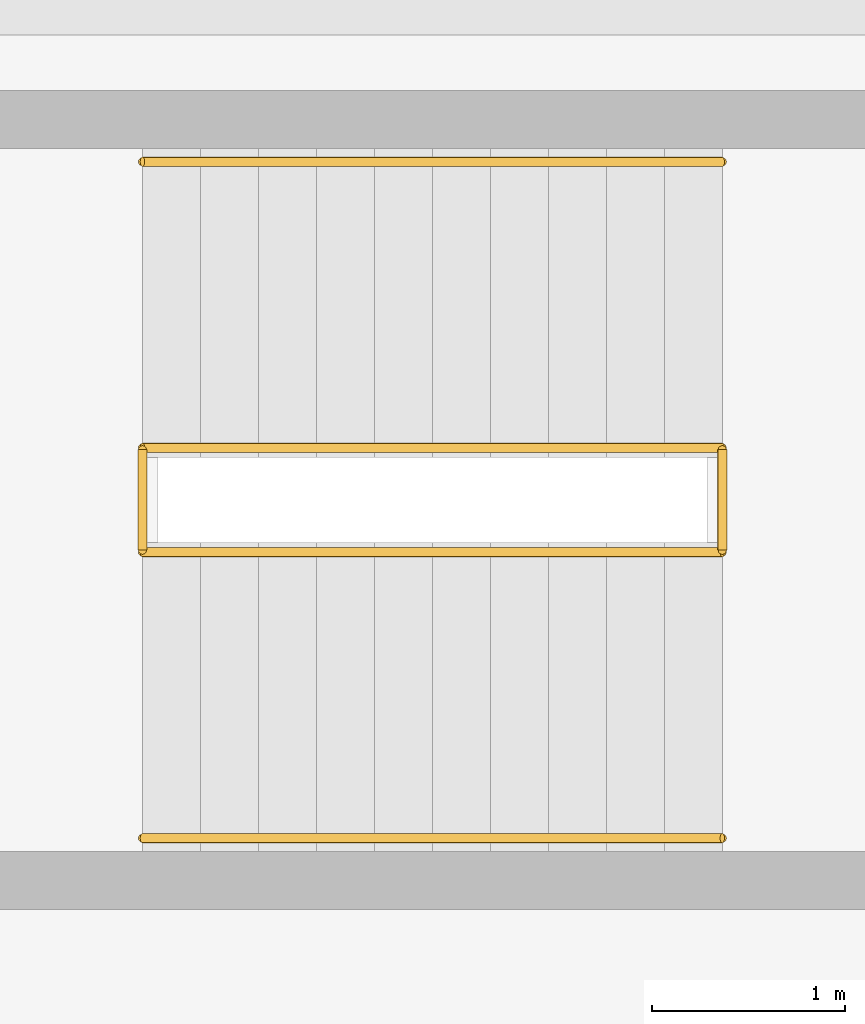
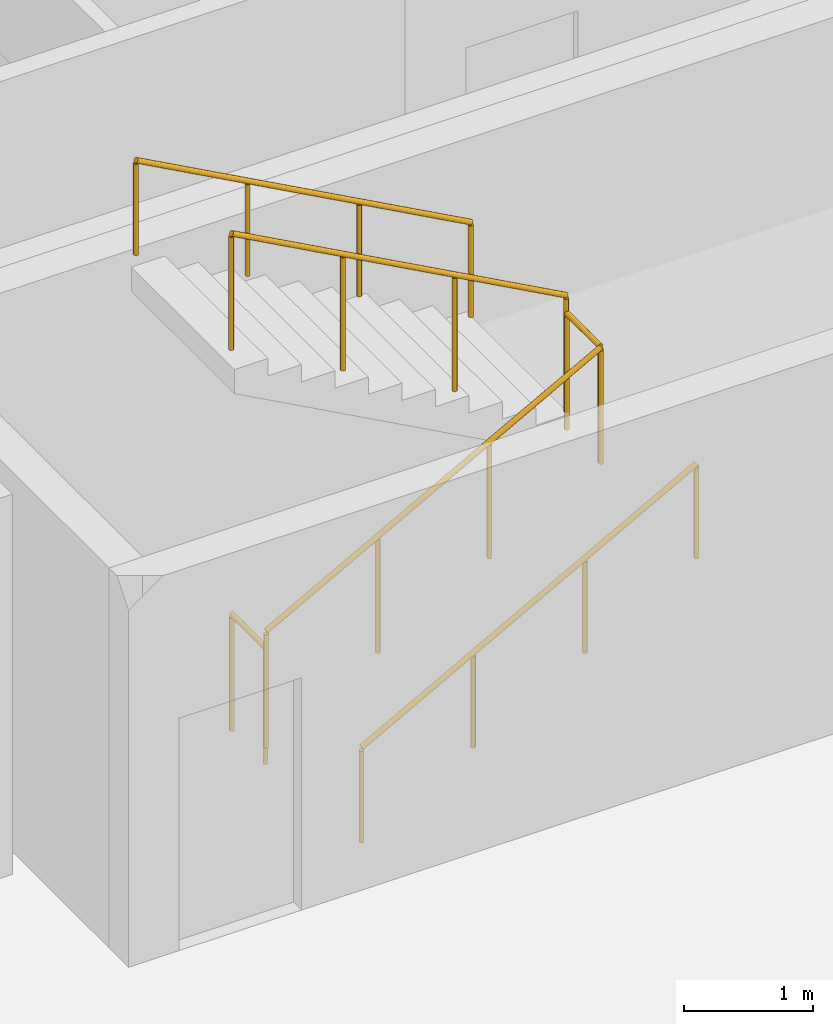
# One storey, part 24 of 24: 6 railings.
"""IFC4 building model written with IfcOpenShell, lengths in metres."""

from ifc_helpers import new_model, si_unit, direction, frame, origin, origin_2d, place, context, subcontext, project, spatial, circle, extrude, material, type_object, element, save


model = new_model("IFC4")

# Units and contexts
model_context = context("Model", 3, precision=1e-05, world=origin(), true_north=direction((0.0, 1.0)))
body_context = subcontext(model_context, "Body", "Model", "MODEL_VIEW")
ifc_project = project(units=[si_unit("LENGTHUNIT", "METRE"), si_unit("AREAUNIT", "SQUARE_METRE"), si_unit("VOLUMEUNIT", "CUBIC_METRE"), si_unit("PLANEANGLEUNIT", "RADIAN"), si_unit("MASSUNIT", "GRAM", prefix="KILO")], contexts=[model_context])

# Site, building, storey
site_placement = place(None, origin())
site = spatial("IfcSite", under=ifc_project, at=site_placement, CompositionType="ELEMENT")
building_placement = place(site_placement, origin())
building = spatial("IfcBuilding", under=site, at=building_placement, Name="Kaldorvane Square Convention Centre", CompositionType="ELEMENT")
storey_placement = place(building_placement, frame((0.0, 0.0, 27.600006103515625)))
storey = spatial("IfcBuildingStorey", under=building, at=storey_placement, Name="L05", CompositionType="ELEMENT", Elevation=27.600006103515625)

# Railings
ifc_material = material(Name="Architectural Painted Steel", Category="steel")
railing_type_1 = type_object("IfcRailingType", Name="RL-GUARD-1120", PredefinedType="BALUSTRADE", material=ifc_material)
for number, where, name in (
    (1, (67.89999389648438, 102.16999816894531, 0.0), "Tower Exit Stair T2 Floor Well Guard (L05)"),
    (2, (70.89999389648438, 102.16999816894531, 1.79998779296875), "Tower Exit Stair T2 Half-Landing Guard (L05)"),
):
    element("IfcRailing", number, at=place(storey_placement, frame(where)), inside=storey, type_object=railing_type_1, Name=name, PredefinedType="BALUSTRADE", context=body_context, shape_type="SweptSolid", body=[
        extrude(circle(Radius=0.0240020751953125, at=origin_2d()), frame((0.0, 0.0, 1.0959930419921875), z_axis=(0.0, 1.0, 0.0), x_axis=(-1.0, 0.0, 0.0)), (0.0, 0.0, 1.0), 0.5200042724609375),
        extrude(circle(Radius=0.02099609375, at=origin_2d()), origin(), (0.0, 0.0, 1.0), 1.071990966796875),
        extrude(circle(Radius=0.02099609375, at=origin_2d()), frame((0.0, 0.5200042724609375, 0.0)), (0.0, 0.0, 1.0), 1.071990966796875),
    ])
railing_1_placement = place(storey_placement, frame((67.89999389648438, 102.16000366210938, 0.16363525390625)))
element("IfcRailing", 3, at=railing_1_placement, inside=storey, type_object=railing_type_1, Name="Tower Exit Stair T2 Flight 1 Guard (L05)", PredefinedType="BALUSTRADE", context=body_context, shape_type="SweptSolid", body=[
    extrude(circle(Radius=0.0240020751953125, at=origin_2d()), frame((0.0, 0.0, 1.0959930419921875), z_axis=(0.877896938072, 0.0, 0.478849627883), x_axis=(0.0, 1.0, 0.0)), (0.0, 0.0, 1.0), 3.4172515869140625),
    extrude(circle(Radius=0.02099609375, at=origin_2d()), origin(), (0.0, 0.0, 1.0), 1.071990966796875),
    extrude(circle(Radius=0.02099609375, at=origin_2d()), frame((1.0, 0.0, 0.5454559326171875)), (0.0, 0.0, 1.0), 1.071990966796875),
    extrude(circle(Radius=0.02099609375, at=origin_2d()), frame((2.0, 0.0, 1.0908966064453125)), (0.0, 0.0, 1.0), 1.071990966796875),
    extrude(circle(Radius=0.02099609375, at=origin_2d()), frame((3.0, 0.0, 1.6363525390625)), (0.0, 0.0, 1.0), 1.071990966796875),
])
railing_2_placement = place(storey_placement, frame((70.89999389648438, 102.69999694824219, 1.963623046875)))
element("IfcRailing", 4, at=railing_2_placement, inside=storey, type_object=railing_type_1, Name="Tower Exit Stair T2 Flight 2 Guard (L05)", PredefinedType="BALUSTRADE", context=body_context, shape_type="SweptSolid", body=[
    extrude(circle(Radius=0.0240020751953125, at=origin_2d()), frame((0.0, 0.0, 1.0959930419921875), z_axis=(-0.87789506098, 0.0, 0.478853069227), x_axis=(0.0, -1.0, 0.0)), (0.0, 0.0, 1.0), 3.417266845703125),
    extrude(circle(Radius=0.02099609375, at=origin_2d()), origin(), (0.0, 0.0, 1.0), 1.071990966796875),
    extrude(circle(Radius=0.02099609375, at=origin_2d()), frame((-1.0, 0.0, 0.5454559326171875)), (0.0, 0.0, 1.0), 1.071990966796875),
    extrude(circle(Radius=0.02099609375, at=origin_2d()), frame((-2.0, 0.0, 1.090911865234375)), (0.0, 0.0, 1.0), 1.071990966796875),
    extrude(circle(Radius=0.02099609375, at=origin_2d()), frame((-3.0, 0.0, 1.6363677978515625)), (0.0, 0.0, 1.0), 1.071990966796875),
])
railing_type_2 = type_object("IfcRailingType", Name="RL-HAND-915", PredefinedType="HANDRAIL", material=ifc_material)
railing_3_placement = place(storey_placement, frame((67.89999389648438, 100.67999267578125, 0.16363525390625)))
element("IfcRailing", 5, at=railing_3_placement, inside=storey, type_object=railing_type_2, Name="Tower Exit Stair T2 Wall Handrail 1 (L05)", PredefinedType="HANDRAIL", context=body_context, shape_type="SweptSolid", body=[
    extrude(circle(Radius=0.0240020751953125, at=origin_2d()), frame((0.0, 0.0, 0.8909912109375), z_axis=(0.877896938072, 0.0, 0.478849627883), x_axis=(0.0, 1.0, 0.0)), (0.0, 0.0, 1.0), 3.4172515869140625),
    extrude(circle(Radius=0.02099609375, at=origin_2d()), origin(), (0.0, 0.0, 1.0), 0.8669891357421875),
    extrude(circle(Radius=0.02099609375, at=origin_2d()), frame((1.0, 0.0, 0.5454559326171875)), (0.0, 0.0, 1.0), 0.8669891357421875),
    extrude(circle(Radius=0.02099609375, at=origin_2d()), frame((2.0, 0.0, 1.0908966064453125)), (0.0, 0.0, 1.0), 0.8669891357421875),
    extrude(circle(Radius=0.02099609375, at=origin_2d()), frame((3.0, 0.0, 1.6363525390625)), (0.0, 0.0, 1.0), 0.8669891357421875),
])
railing_4_placement = place(storey_placement, frame((70.89999389648438, 104.17999267578125, 1.963623046875)))
element("IfcRailing", 6, at=railing_4_placement, inside=storey, type_object=railing_type_2, Name="Tower Exit Stair T2 Wall Handrail 2 (L05)", PredefinedType="HANDRAIL", context=body_context, shape_type="SweptSolid", body=[
    extrude(circle(Radius=0.0240020751953125, at=origin_2d()), frame((0.0, 0.0, 0.8909912109375), z_axis=(-0.87789506098, 0.0, 0.478853069227), x_axis=(0.0, -1.0, 0.0)), (0.0, 0.0, 1.0), 3.417266845703125),
    extrude(circle(Radius=0.02099609375, at=origin_2d()), origin(), (0.0, 0.0, 1.0), 0.8669891357421875),
    extrude(circle(Radius=0.02099609375, at=origin_2d()), frame((-1.0, 0.0, 0.5454559326171875)), (0.0, 0.0, 1.0), 0.8669891357421875),
    extrude(circle(Radius=0.02099609375, at=origin_2d()), frame((-2.0, 0.0, 1.090911865234375)), (0.0, 0.0, 1.0), 0.8669891357421875),
    extrude(circle(Radius=0.02099609375, at=origin_2d()), frame((-3.0, 0.0, 1.6363677978515625)), (0.0, 0.0, 1.0), 0.8669891357421875),
])

save(model, "model.ifc")
